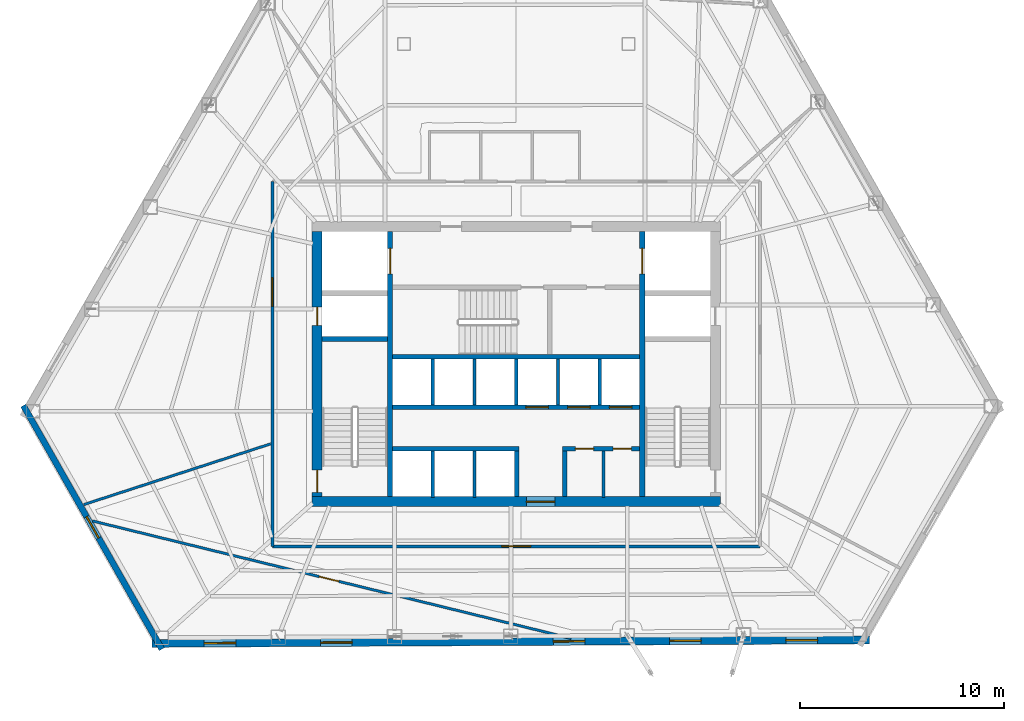
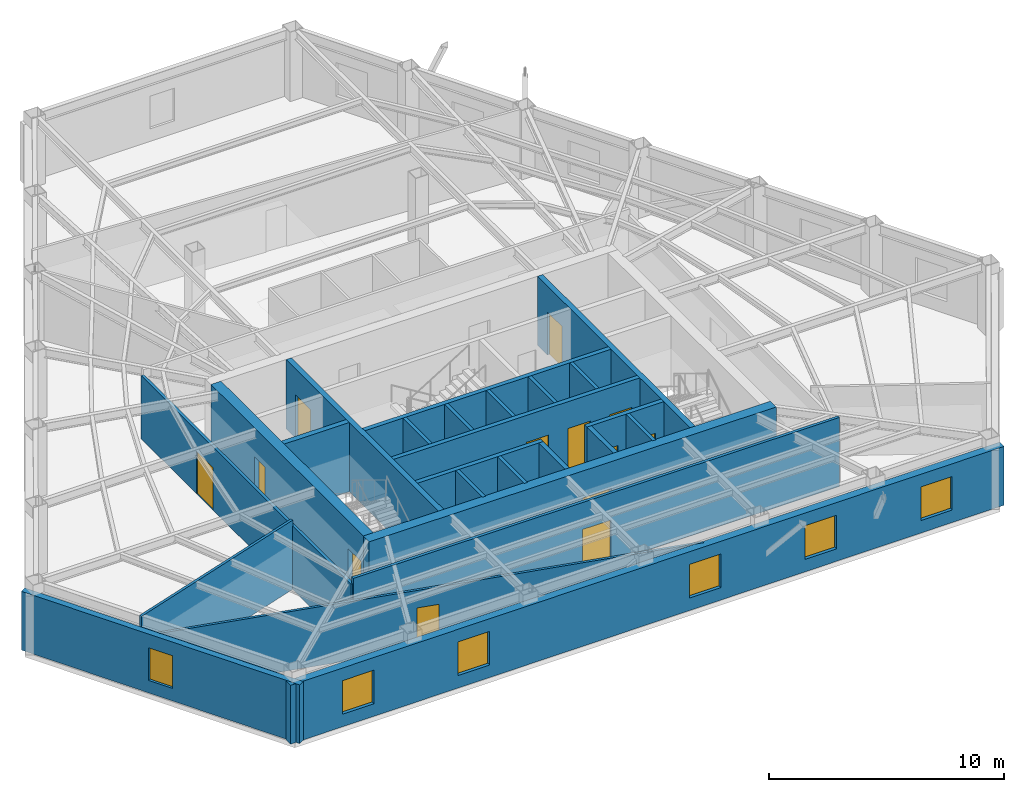
# One storey, part 8 of 13: 25 walls, 13 doors, 6 windows, 19 openings.
"""IFC4 building model written with IfcOpenShell, lengths in metres."""

from ifc_helpers import new_model, si_unit, direction, frame, frame_2d, origin, place, context, subcontext, project, spatial, rectangle, extrude, material, layer, layer_set, type_object, element, fill, save


model = new_model("IFC4")

# Units and contexts
model_context = context("Model", 3, precision=1e-05, world=origin(), true_north=direction((0.0, 1.0)))
body_context = subcontext(model_context, "Body", "Model", "MODEL_VIEW")
ifc_project = project(units=[si_unit("LENGTHUNIT", "METRE"), si_unit("AREAUNIT", "SQUARE_METRE"), si_unit("VOLUMEUNIT", "CUBIC_METRE"), si_unit("PLANEANGLEUNIT", "RADIAN"), si_unit("MASSUNIT", "GRAM", prefix="KILO")], contexts=[model_context])

# Site, building, storey
site_placement = place(None, origin())
site = spatial("IfcSite", under=ifc_project, at=site_placement, CompositionType="ELEMENT")
building_placement = place(site_placement, origin())
building = spatial("IfcBuilding", under=site, at=building_placement, Name="Kavelnor Concourse Tower", CompositionType="ELEMENT")
storey_placement = place(building_placement, frame((0.0, 0.0, 85.5)))
storey = spatial("IfcBuildingStorey", under=building, at=storey_placement, Name="L21", CompositionType="ELEMENT", Elevation=85.5)

# Wall, opening, door
ifc_material_1 = material(Name="Concrete C60/75", Category="concrete")
ifc_layer_1 = layer(ifc_material_1, 0.5, Name="Concrete C60/75")
ifc_layer_set_1 = layer_set([ifc_layer_1], Name="Concrete C60/75")
wall_type_1 = type_object("IfcWallType", Name="WL-CORE-Z2-500", PredefinedType="SOLIDWALL", material=ifc_layer_set_1)
wall_1_placement = place(storey_placement, frame((27.97998046875, 9.35009765625, 0.0), z_axis=(0.0, 0.0, 1.0), x_axis=(1.0, 0.0, 0.0)))
wall_1 = element("IfcWall", 1, at=wall_1_placement, inside=storey, type_object=wall_type_1, Name="L21 Central Core South Shear Wall", PredefinedType="SOLIDWALL", context=body_context, shape_type="SweptSolid", body=[
    extrude(rectangle(XDim=20.0400390625, YDim=0.5, at=frame_2d((10.02001953125, 0.0))), origin(), (0.0, 0.0, 1.0), 3.60009765625),
])
opening_1_placement = place(wall_1_placement, frame((10.52001953125, 0.0, 0.0)))
opening_1 = element("IfcOpeningElement", 2, at=opening_1_placement, cuts=wall_1, Name="Opening SD-140", PredefinedType="OPENING", context=body_context, shape_type="SweptSolid", body=[
    extrude(rectangle(XDim=1.39990234375, YDim=2.199951171875, at=frame_2d((0.699951171875, 1.10009765625))), frame((0.0, 0.260009765625, 0.0), z_axis=(0.0, -1.0, 0.0), x_axis=(1.0, 0.0, 0.0)), (0.0, 0.0, 1.0), 0.52001953125),
])
ifc_material_2 = material(Name="Solid-core hardwood timber", Category="wood")
door_type_1 = type_object("IfcDoorType", Name="DR-SUITE-ENTRY-1400", OperationType="NOTDEFINED", PredefinedType="DOOR", material=ifc_material_2)
door_1_placement = place(opening_1_placement, origin())
door_1 = element("IfcDoor", 3, at=door_1_placement, inside=storey, type_object=door_type_1, Name="L21 Passenger Lift Lobby Entry Door", OperationType="SINGLE_SWING_RIGHT", OverallHeight=2.199951171875, OverallWidth=1.39990234375, PredefinedType="DOOR", context=body_context, shape_type="SweptSolid", body=[
    extrude(rectangle(XDim=1.39990234375, YDim=2.199951171875, at=frame_2d((0.699951171875, 1.10009765625))), frame((0.0, 0.02490234375, 0.0), z_axis=(0.0, -1.0, 0.0), x_axis=(1.0, 0.0, 0.0)), (0.0, 0.0, 1.0), 0.050048828125),
])
fill(opening_1, door_1)

# Wall, openings, doors
wall_2_placement = place(storey_placement, frame((28.22998046875, 9.60009765625, 0.0), z_axis=(0.0, 0.0, 1.0), x_axis=(0.0, 1.0, 0.0)))
wall_2 = element("IfcWall", 4, at=wall_2_placement, inside=storey, type_object=wall_type_1, Name="L21 Central Core West Shear Wall", PredefinedType="SOLIDWALL", context=body_context, shape_type="SweptSolid", body=[
    extrude(rectangle(XDim=13.0, YDim=0.5, at=frame_2d((6.5, 0.0))), origin(), (0.0, 0.0, 1.0), 3.60009765625),
])
opening_2_placement = place(wall_2_placement, frame((0.199951171875, 0.0, 0.0)))
opening_2 = element("IfcOpeningElement", 5, at=opening_2_placement, cuts=wall_2, Name="Opening FD-110", PredefinedType="OPENING", context=body_context, shape_type="SweptSolid", body=[
    extrude(rectangle(XDim=1.10009765625, YDim=2.14990234375, at=frame_2d((0.550048828125, 1.074951171875))), frame((0.0, 0.260009765625, 0.0), z_axis=(0.0, -1.0, 0.0), x_axis=(1.0, 0.0, 0.0)), (0.0, 0.0, 1.0), 0.52001953125),
])
opening_3_placement = place(wall_2_placement, frame((8.39990234375, 0.0, 0.0)))
opening_3 = element("IfcOpeningElement", 6, at=opening_3_placement, cuts=wall_2, Name="Opening FD-090", PredefinedType="OPENING", context=body_context, shape_type="SweptSolid", body=[
    extrude(rectangle(XDim=0.89990234375, YDim=2.10009765625, at=frame_2d((0.449951171875, 1.050048828125))), frame((0.0, 0.260009765625, 0.0), z_axis=(0.0, -1.0, 0.0), x_axis=(1.0, 0.0, 0.0)), (0.0, 0.0, 1.0), 0.52001953125),
])
ifc_material_3 = material(Name="Steel Grade 350", Category="steel")
door_type_2 = type_object("IfcDoorType", Name="DR-RISER-FIRE-900", OperationType="NOTDEFINED", PredefinedType="DOOR", material=ifc_material_3)
door_2_placement = place(opening_3_placement, origin())
door_2 = element("IfcDoor", 7, at=door_2_placement, inside=storey, type_object=door_type_2, Name="L21 West Riser Access Door", OperationType="SINGLE_SWING_RIGHT", OverallHeight=2.10009765625, OverallWidth=0.89990234375, PredefinedType="DOOR", context=body_context, shape_type="SweptSolid", body=[
    extrude(rectangle(XDim=0.89990234375, YDim=2.10009765625, at=frame_2d((0.449951171875, 1.050048828125))), frame((0.0, 0.02490234375, 0.0), z_axis=(0.0, -1.0, 0.0), x_axis=(1.0, 0.0, 0.0)), (0.0, 0.0, 1.0), 0.050048828125),
])
fill(opening_3, door_2)
door_type_3 = type_object("IfcDoorType", Name="DR-STAIR-FIRE-1100", OperationType="NOTDEFINED", PredefinedType="DOOR", material=ifc_material_3)
door_3_placement = place(opening_2_placement, origin())
door_3 = element("IfcDoor", 8, at=door_3_placement, inside=storey, type_object=door_type_3, Name="L21 Stair ST1 Fire Door", OperationType="SINGLE_SWING_LEFT", OverallHeight=2.14990234375, OverallWidth=1.10009765625, PredefinedType="DOOR", context=body_context, shape_type="SweptSolid", body=[
    extrude(rectangle(XDim=1.10009765625, YDim=2.14990234375, at=frame_2d((0.550048828125, 1.074951171875))), frame((0.0, 0.02490234375, 0.0), z_axis=(0.0, -1.0, 0.0), x_axis=(1.0, 0.0, 0.0)), (0.0, 0.0, 1.0), 0.050048828125),
])
fill(opening_2, door_3)

# Wall, opening, window
ifc_material_4 = material(Name="Buff ironspot clay face brick masonry", Category="masonry")
ifc_layer_2 = layer(ifc_material_4, 0.300048828125, Name="Buff ironspot clay face brick masonry")
ifc_layer_set_2 = layer_set([ifc_layer_2], Name="Buff ironspot clay face brick masonry")
wall_type_2 = type_object("IfcWallType", Name="WL-EXT-BUFF-BRICK-FOLD-300", PredefinedType="STANDARD", material=ifc_layer_set_2)
wall_3_placement = place(storey_placement, frame((20.61083984375, 2.1123046875, 0.0), z_axis=(0.0, 0.0, 1.0), x_axis=(-0.494112228191, 0.869398128565, 0.0)))
wall_3 = element("IfcWall", 9, at=wall_3_placement, inside=storey, type_object=wall_type_2, Name="L21 Exterior Brick Facade Wall E2", PredefinedType="STANDARD", context=body_context, shape_type="SweptSolid", body=[
    extrude(rectangle(XDim=13.747314453125, YDim=0.300048828125, at=frame_2d((6.87353515625, 0.0))), origin(), (0.0, 0.0, 1.0), 3.05908203125),
])
opening_4_placement = place(wall_3_placement, frame((6.273681640625, 0.0, 0.64990234375)))
opening_4 = element("IfcOpeningElement", 10, at=opening_4_placement, cuts=wall_3, Name="Opening W-05", PredefinedType="OPENING", context=body_context, shape_type="SweptSolid", body=[
    extrude(rectangle(XDim=1.199951171875, YDim=1.699951171875, at=frame_2d((0.60009765625, 0.85009765625))), frame((0.0, 0.16015625, 0.0), z_axis=(0.0, -1.0, 0.0), x_axis=(1.0, 0.0, 0.0)), (0.0, 0.0, 1.0), 0.320068359375),
])
ifc_material_5 = material(Name="Double low-E argon insulated glazing", Category="glass")
window_type_1 = type_object("IfcWindowType", Name="WIN-FOLD-1200", PartitioningType="SINGLE_PANEL", PredefinedType="WINDOW", material=ifc_material_5)
window_1_placement = place(opening_4_placement, origin())
window_1 = element("IfcWindow", 11, at=window_1_placement, inside=storey, type_object=window_type_1, Name="L21 Chamfer-Fold Facet Window C1", OverallHeight=1.699951171875, OverallWidth=1.199951171875, PartitioningType="SINGLE_PANEL", PredefinedType="WINDOW", context=body_context, shape_type="SweptSolid", body=[
    extrude(rectangle(XDim=1.199951171875, YDim=1.699951171875, at=frame_2d((0.60009765625, 0.85009765625))), frame((0.0, 0.030029296875, 0.0), z_axis=(0.0, -1.0, 0.0), x_axis=(1.0, 0.0, 0.0)), (0.0, 0.0, 1.0), 0.06005859375),
])
fill(opening_4, window_1)

# Wall, openings, windows
ifc_material_6 = material(Name="Red-ochre clay face brick masonry", Category="masonry")
ifc_layer_3 = layer(ifc_material_6, 0.3798828125, Name="Red-ochre clay face brick masonry")
ifc_layer_set_3 = layer_set([ifc_layer_3], Name="Red-ochre clay face brick masonry")
wall_type_3 = type_object("IfcWallType", Name="WL-EXT-RED-BRICK-PIER-380", PredefinedType="STANDARD", material=ifc_layer_set_3)
wall_4_placement = place(storey_placement, frame((55.33984375, 2.56689453125, 0.0), z_axis=(0.0, 0.0, 1.0), x_axis=(-0.999987608505, -0.00497823626, 0.0)))
wall_4 = element("IfcWall", 12, at=wall_4_placement, inside=storey, type_object=wall_type_3, Name="L21 Exterior Brick Facade Wall E3", PredefinedType="STANDARD", context=body_context, shape_type="SweptSolid", body=[
    extrude(rectangle(XDim=35.2119140625, YDim=0.3798828125, at=frame_2d((17.60595703125, 0.0))), origin(), (0.0, 0.0, 1.0), 3.05908203125),
])
opening_5_placement = place(wall_4_placement, frame((31.1015625, 0.0, 0.64990234375)))
opening_5 = element("IfcOpeningElement", 13, at=opening_5_placement, cuts=wall_4, Name="Opening W-02", PredefinedType="OPENING", context=body_context, shape_type="SweptSolid", body=[
    extrude(rectangle(XDim=1.550048828125, YDim=1.75, at=frame_2d((0.77490234375, 0.875))), frame((0.0, 0.199951171875, 0.0), z_axis=(0.0, -1.0, 0.0), x_axis=(1.0, 0.0, 0.0)), (0.0, 0.0, 1.0), 0.39990234375),
])
opening_6_placement = place(wall_4_placement, frame((25.392333984375, 0.0, 0.64990234375)))
opening_6 = element("IfcOpeningElement", 14, at=opening_6_placement, cuts=wall_4, Name="Opening W-02", PredefinedType="OPENING", context=body_context, shape_type="SweptSolid", body=[
    extrude(rectangle(XDim=1.550048828125, YDim=1.75, at=frame_2d((0.77490234375, 0.875))), frame((0.0, 0.199951171875, 0.0), z_axis=(0.0, -1.0, 0.0), x_axis=(1.0, 0.0, 0.0)), (0.0, 0.0, 1.0), 0.39990234375),
])
opening_7_placement = place(wall_4_placement, frame((13.97412109375, 0.0, 0.64990234375)))
opening_7 = element("IfcOpeningElement", 15, at=opening_7_placement, cuts=wall_4, Name="Opening W-02", PredefinedType="OPENING", context=body_context, shape_type="SweptSolid", body=[
    extrude(rectangle(XDim=1.550048828125, YDim=1.75, at=frame_2d((0.77490234375, 0.875))), frame((0.0, 0.199951171875, 0.0), z_axis=(0.0, -1.0, 0.0), x_axis=(1.0, 0.0, 0.0)), (0.0, 0.0, 1.0), 0.39990234375),
])
opening_8_placement = place(wall_4_placement, frame((8.264892578125, 0.0, 0.64990234375)))
opening_8 = element("IfcOpeningElement", 16, at=opening_8_placement, cuts=wall_4, Name="Opening W-02", PredefinedType="OPENING", context=body_context, shape_type="SweptSolid", body=[
    extrude(rectangle(XDim=1.550048828125, YDim=1.75, at=frame_2d((0.77490234375, 0.875))), frame((0.0, 0.199951171875, 0.0), z_axis=(0.0, -1.0, 0.0), x_axis=(1.0, 0.0, 0.0)), (0.0, 0.0, 1.0), 0.39990234375),
])
opening_9_placement = place(wall_4_placement, frame((2.5556640625, 0.0, 0.64990234375)))
opening_9 = element("IfcOpeningElement", 17, at=opening_9_placement, cuts=wall_4, Name="Opening W-02", PredefinedType="OPENING", context=body_context, shape_type="SweptSolid", body=[
    extrude(rectangle(XDim=1.550048828125, YDim=1.75, at=frame_2d((0.77490234375, 0.875))), frame((0.0, 0.199951171875, 0.0), z_axis=(0.0, -1.0, 0.0), x_axis=(1.0, 0.0, 0.0)), (0.0, 0.0, 1.0), 0.39990234375),
])
window_type_2 = type_object("IfcWindowType", Name="WIN-PIER-Z2-1650", PartitioningType="SINGLE_PANEL", PredefinedType="WINDOW", material=ifc_material_5)
window_2_placement = place(opening_5_placement, origin())
window_2 = element("IfcWindow", 18, at=window_2_placement, inside=storey, type_object=window_type_2, Name="L21 Deep-Set Brick Pier Window F1-B0", OverallHeight=1.75, OverallWidth=1.550048828125, PartitioningType="SINGLE_PANEL", PredefinedType="WINDOW", context=body_context, shape_type="SweptSolid", body=[
    extrude(rectangle(XDim=1.550048828125, YDim=1.75, at=frame_2d((0.77490234375, 0.875))), frame((0.0, 0.030029296875, 0.0), z_axis=(0.0, -1.0, 0.0), x_axis=(1.0, 0.0, 0.0)), (0.0, 0.0, 1.0), 0.06005859375),
])
fill(opening_5, window_2)
window_3_placement = place(opening_6_placement, origin())
window_3 = element("IfcWindow", 19, at=window_3_placement, inside=storey, type_object=window_type_2, Name="L21 Deep-Set Brick Pier Window F1-B1", OverallHeight=1.75, OverallWidth=1.550048828125, PartitioningType="SINGLE_PANEL", PredefinedType="WINDOW", context=body_context, shape_type="SweptSolid", body=[
    extrude(rectangle(XDim=1.550048828125, YDim=1.75, at=frame_2d((0.77490234375, 0.875))), frame((0.0, 0.030029296875, 0.0), z_axis=(0.0, -1.0, 0.0), x_axis=(1.0, 0.0, 0.0)), (0.0, 0.0, 1.0), 0.06005859375),
])
fill(opening_6, window_3)
window_4_placement = place(opening_7_placement, origin())
window_4 = element("IfcWindow", 20, at=window_4_placement, inside=storey, type_object=window_type_2, Name="L21 Deep-Set Brick Pier Window F1-B3", OverallHeight=1.75, OverallWidth=1.550048828125, PartitioningType="SINGLE_PANEL", PredefinedType="WINDOW", context=body_context, shape_type="SweptSolid", body=[
    extrude(rectangle(XDim=1.550048828125, YDim=1.75, at=frame_2d((0.77490234375, 0.875))), frame((0.0, 0.030029296875, 0.0), z_axis=(0.0, -1.0, 0.0), x_axis=(1.0, 0.0, 0.0)), (0.0, 0.0, 1.0), 0.06005859375),
])
fill(opening_7, window_4)
window_5_placement = place(opening_8_placement, origin())
window_5 = element("IfcWindow", 21, at=window_5_placement, inside=storey, type_object=window_type_2, Name="L21 Deep-Set Brick Pier Window F1-B4", OverallHeight=1.75, OverallWidth=1.550048828125, PartitioningType="SINGLE_PANEL", PredefinedType="WINDOW", context=body_context, shape_type="SweptSolid", body=[
    extrude(rectangle(XDim=1.550048828125, YDim=1.75, at=frame_2d((0.77490234375, 0.875))), frame((0.0, 0.030029296875, 0.0), z_axis=(0.0, -1.0, 0.0), x_axis=(1.0, 0.0, 0.0)), (0.0, 0.0, 1.0), 0.06005859375),
])
fill(opening_8, window_5)
window_6_placement = place(opening_9_placement, origin())
window_6 = element("IfcWindow", 22, at=window_6_placement, inside=storey, type_object=window_type_2, Name="L21 Deep-Set Brick Pier Window F1-B5", OverallHeight=1.75, OverallWidth=1.550048828125, PartitioningType="SINGLE_PANEL", PredefinedType="WINDOW", context=body_context, shape_type="SweptSolid", body=[
    extrude(rectangle(XDim=1.550048828125, YDim=1.75, at=frame_2d((0.77490234375, 0.875))), frame((0.0, 0.030029296875, 0.0), z_axis=(0.0, -1.0, 0.0), x_axis=(1.0, 0.0, 0.0)), (0.0, 0.0, 1.0), 0.06005859375),
])
fill(opening_9, window_6)

# Wall, opening, door
ifc_material_7 = material(Name="Gypsum plasterboard on light-gauge steel studs", Category="steel")
ifc_layer_4 = layer(ifc_material_7, 0.14501953125, Name="Gypsum plasterboard on light-gauge steel studs")
ifc_layer_set_4 = layer_set([ifc_layer_4], Name="Gypsum plasterboard on light-gauge steel studs")
wall_type_4 = type_object("IfcWallType", Name="WL-INT-CORR-145", PredefinedType="PARTITIONING", material=ifc_layer_set_4)
wall_5_placement = place(storey_placement, frame((26.030029296875, 25.050048828125, 0.0), z_axis=(0.0, 0.0, 1.0), x_axis=(0.0, -1.0, 0.0)))
wall_5 = element("IfcWall", 23, at=wall_5_placement, inside=storey, type_object=wall_type_4, Name="L21 Corridor Wall WL-L21-CR-03", PredefinedType="PARTITIONING", context=body_context, shape_type="SweptSolid", body=[
    extrude(rectangle(XDim=17.900146484375, YDim=0.14501953125, at=frame_2d((8.9501953125, 0.0))), origin(), (0.0, 0.0, 1.0), 3.2880859375),
])
opening_10_placement = place(wall_5_placement, frame((4.716796875, 0.0, 0.0)))
opening_10 = element("IfcOpeningElement", 24, at=opening_10_placement, cuts=wall_5, Name="Opening SD-140", PredefinedType="OPENING", context=body_context, shape_type="SweptSolid", body=[
    extrude(rectangle(XDim=1.39990234375, YDim=2.199951171875, at=frame_2d((0.699951171875, 1.10009765625))), frame((0.0, 0.08251953125, 0.0), z_axis=(0.0, -1.0, 0.0), x_axis=(1.0, 0.0, 0.0)), (0.0, 0.0, 1.0), 0.1650390625),
])
door_4_placement = place(opening_10_placement, origin())
door_4 = element("IfcDoor", 25, at=door_4_placement, inside=storey, type_object=door_type_1, Name="L21 Client Concierge 04 Door", OperationType="SINGLE_SWING_RIGHT", OverallHeight=2.199951171875, OverallWidth=1.39990234375, PredefinedType="DOOR", context=body_context, shape_type="SweptSolid", body=[
    extrude(rectangle(XDim=1.39990234375, YDim=2.199951171875, at=frame_2d((0.699951171875, 1.10009765625))), frame((0.0, 0.02490234375, 0.0), z_axis=(0.0, -1.0, 0.0), x_axis=(1.0, 0.0, 0.0)), (0.0, 0.0, 1.0), 0.050048828125),
])
fill(opening_10, door_4)

wall_6_placement = place(storey_placement, frame((26.030029296875, 7.14990234375, 0.0), z_axis=(0.0, 0.0, 1.0), x_axis=(1.0, 0.0, 0.0)))
wall_6 = element("IfcWall", 26, at=wall_6_placement, inside=storey, type_object=wall_type_4, Name="L21 Corridor Wall WL-L21-CR-04", PredefinedType="PARTITIONING", context=body_context, shape_type="SweptSolid", body=[
    extrude(rectangle(XDim=23.93994140625, YDim=0.14501953125, at=frame_2d((11.969970703125, 0.0))), origin(), (0.0, 0.0, 1.0), 3.60009765625),
])
opening_11_placement = place(wall_6_placement, frame((11.27001953125, 0.0, 0.0)))
opening_11 = element("IfcOpeningElement", 27, at=opening_11_placement, cuts=wall_6, Name="Opening SD-140", PredefinedType="OPENING", context=body_context, shape_type="SweptSolid", body=[
    extrude(rectangle(XDim=1.39990234375, YDim=2.199951171875, at=frame_2d((0.699951171875, 1.10009765625))), frame((0.0, 0.08251953125, 0.0), z_axis=(0.0, -1.0, 0.0), x_axis=(1.0, 0.0, 0.0)), (0.0, 0.0, 1.0), 0.1650390625),
])
door_5_placement = place(opening_11_placement, origin())
door_5 = element("IfcDoor", 28, at=door_5_placement, inside=storey, type_object=door_type_1, Name="L21 Client Concierge 05 Door", OperationType="SINGLE_SWING_LEFT", OverallHeight=2.199951171875, OverallWidth=1.39990234375, PredefinedType="DOOR", context=body_context, shape_type="SweptSolid", body=[
    extrude(rectangle(XDim=1.39990234375, YDim=2.199951171875, at=frame_2d((0.699951171875, 1.10009765625))), frame((0.0, 0.02490234375, 0.0), z_axis=(0.0, -1.0, 0.0), x_axis=(1.0, 0.0, 0.0)), (0.0, 0.0, 1.0), 0.050048828125),
])
fill(opening_11, door_5)

# Walls
ifc_layer_5 = layer(ifc_material_7, 0.1650390625, Name="Gypsum plasterboard on light-gauge steel studs")
ifc_layer_set_5 = layer_set([ifc_layer_5], Name="Gypsum plasterboard on light-gauge steel studs")
wall_type_5 = type_object("IfcWallType", Name="WL-INT-FIRE-165", PredefinedType="PARTITIONING", material=ifc_layer_set_5)
for number, where, z_axis, x_axis, name in (
    (29, (33.89990234375, 9.550048828125, 0.0), (0.0, 0.0, 1.0), (0.0, 1.0, 0.0), "L21 Lift Shaft Divider LP7"),
    (30, (35.949951171875, 9.550048828125, 0.0), (0.0, 0.0, 1.0), (0.0, 1.0, 0.0), "L21 Lift Shaft Divider LP8"),
):
    element("IfcWall", number, at=place(storey_placement, frame(where, z_axis=z_axis, x_axis=x_axis)), inside=storey, type_object=wall_type_5, Name=name, PredefinedType="PARTITIONING", context=body_context, shape_type="SweptSolid", body=[
        extrude(rectangle(XDim=2.2900390625, YDim=0.1650390625, at=frame_2d((1.14501953125, 0.0))), origin(), (0.0, 0.0, 1.0), 3.60009765625),
    ])
for number, where, z_axis, x_axis, name in (
    (31, (33.89990234375, 14.10009765625, 0.0), (0.0, 0.0, 1.0), (0.0, 1.0, 0.0), "L21 Lift Shaft Divider LP1"),
    (32, (35.949951171875, 14.10009765625, 0.0), (0.0, 0.0, 1.0), (0.0, 1.0, 0.0), "L21 Lift Shaft Divider LP2"),
    (33, (38.0, 14.10009765625, 0.0), (0.0, 0.0, 1.0), (0.0, 1.0, 0.0), "L21 Lift Shaft Divider LP3"),
    (34, (40.050048828125, 14.10009765625, 0.0), (0.0, 0.0, 1.0), (0.0, 1.0, 0.0), "L21 Lift Shaft Divider LP4"),
    (35, (42.10009765625, 14.10009765625, 0.0), (0.0, 0.0, 1.0), (0.0, 1.0, 0.0), "L21 Lift Shaft Divider LP5"),
):
    element("IfcWall", number, at=place(storey_placement, frame(where, z_axis=z_axis, x_axis=x_axis)), inside=storey, type_object=wall_type_5, Name=name, PredefinedType="PARTITIONING", context=body_context, shape_type="SweptSolid", body=[
        extrude(rectangle(XDim=2.239990234375, YDim=0.1650390625, at=frame_2d((1.1201171875, 0.0))), origin(), (0.0, 0.0, 1.0), 3.60009765625),
    ])
wall_7_placement = place(storey_placement, frame((42.280029296875, 9.550048828125, 0.0), z_axis=(0.0, 0.0, 1.0), x_axis=(0.0, 1.0, 0.0)))
element("IfcWall", 36, at=wall_7_placement, inside=storey, type_object=wall_type_5, Name="L21 Core Support Divider", PredefinedType="PARTITIONING", context=body_context, shape_type="SweptSolid", body=[
    extrude(rectangle(XDim=2.2900390625, YDim=0.1650390625, at=frame_2d((1.14501953125, 0.0))), origin(), (0.0, 0.0, 1.0), 3.60009765625),
])
ifc_layer_6 = layer(ifc_material_7, 0.125, Name="Gypsum plasterboard on light-gauge steel studs")
ifc_layer_set_6 = layer_set([ifc_layer_6], Name="Gypsum plasterboard on light-gauge steel studs")
wall_type_6 = type_object("IfcWallType", Name="WL-INT-SUITE-125", PredefinedType="PARTITIONING", material=ifc_layer_set_6)
wall_8_placement = place(storey_placement, frame((25.949462890625, 12.1845703125, 0.0), z_axis=(0.0, 0.0, 1.0), x_axis=(-0.951059189605, -0.309008766651, 0.0)))
element("IfcWall", 37, at=wall_8_placement, inside=storey, type_object=wall_type_6, Name="L21 Radial Suite Partition 03", PredefinedType="PARTITIONING", context=body_context, shape_type="SweptSolid", body=[
    extrude(rectangle(XDim=9.640625, YDim=0.125, at=frame_2d((4.8203125, 0.0))), origin(), (0.0, 0.0, 1.0), 3.60009765625),
])

# Wall, opening, door
wall_9_placement = place(storey_placement, frame((17.20849609375, 8.402099609375, 0.0), z_axis=(0.0, 0.0, 1.0), x_axis=(0.971215252653, -0.238203553741, 0.0)))
wall_9 = element("IfcWall", 38, at=wall_9_placement, inside=storey, type_object=wall_type_6, Name="L21 Suite Subdivision Partition 04", PredefinedType="PARTITIONING", context=body_context, shape_type="SweptSolid", body=[
    extrude(rectangle(XDim=24.173828125, YDim=0.125, at=frame_2d((12.0869140625, 0.0))), origin(), (0.0, 0.0, 1.0), 3.06201171875),
])
opening_12_placement = place(wall_9_placement, frame((11.458984375, 0.0, 0.0)))
opening_12 = element("IfcOpeningElement", 39, at=opening_12_placement, cuts=wall_9, Name="Opening OD-098", PredefinedType="OPENING", context=body_context, shape_type="SweptSolid", body=[
    extrude(rectangle(XDim=0.97998046875, YDim=2.14990234375, at=frame_2d((0.489990234375, 1.074951171875))), frame((0.0, 0.072509765625, 0.0), z_axis=(0.0, -1.0, 0.0), x_axis=(1.0, 0.0, 0.0)), (0.0, 0.0, 1.0), 0.14501953125),
])
door_type_4 = type_object("IfcDoorType", Name="DR-OFFICE-980", OperationType="NOTDEFINED", PredefinedType="DOOR", material=ifc_material_2)
door_6_placement = place(opening_12_placement, origin())
door_6 = element("IfcDoor", 40, at=door_6_placement, inside=storey, type_object=door_type_4, Name="L21 Client Concierge 06 Door", OperationType="SINGLE_SWING_RIGHT", OverallHeight=2.14990234375, OverallWidth=0.97998046875, PredefinedType="DOOR", context=body_context, shape_type="SweptSolid", body=[
    extrude(rectangle(XDim=0.97998046875, YDim=2.14990234375, at=frame_2d((0.489990234375, 1.074951171875))), frame((0.0, 0.02490234375, 0.0), z_axis=(0.0, -1.0, 0.0), x_axis=(1.0, 0.0, 0.0)), (0.0, 0.0, 1.0), 0.050048828125),
])
fill(opening_12, door_6)

# Wall
ifc_material_8 = material(Name="Concrete C50/60", Category="concrete")
ifc_layer_7 = layer(ifc_material_8, 0.219970703125, Name="Concrete C50/60")
ifc_layer_set_7 = layer_set([ifc_layer_7], Name="Concrete C50/60")
wall_type_7 = type_object("IfcWallType", Name="WL-SHAFT-220", PredefinedType="SOLIDWALL", material=ifc_layer_set_7)
wall_10_placement = place(storey_placement, frame((31.93994140625, 16.449951171875, 0.0), z_axis=(0.0, 0.0, 1.0), x_axis=(1.0, 0.0, 0.0)))
element("IfcWall", 41, at=wall_10_placement, inside=storey, type_object=wall_type_7, Name="L21 Stair ST3 South Core Wall", PredefinedType="SOLIDWALL", context=body_context, shape_type="SweptSolid", body=[
    extrude(rectangle(XDim=12.1201171875, YDim=0.219970703125, at=frame_2d((6.06005859375, 0.0))), origin(), (0.0, 0.0, 1.0), 3.60009765625),
])

# Wall, openings, doors
wall_11_placement = place(storey_placement, frame((31.93994140625, 13.989990234375, 0.0), z_axis=(0.0, 0.0, 1.0), x_axis=(1.0, 0.0, 0.0)))
wall_11 = element("IfcWall", 42, at=wall_11_placement, inside=storey, type_object=wall_type_7, Name="L21 North Lift Row Shaft Wall", PredefinedType="SOLIDWALL", context=body_context, shape_type="SweptSolid", body=[
    extrude(rectangle(XDim=12.1201171875, YDim=0.219970703125, at=frame_2d((6.06005859375, 0.0))), origin(), (0.0, 0.0, 1.0), 3.60009765625),
])
opening_13_placement = place(wall_11_placement, frame((6.534912109375, 0.0, 0.0)))
opening_13 = element("IfcOpeningElement", 43, at=opening_13_placement, cuts=wall_11, Name="Opening LD-110", PredefinedType="OPENING", context=body_context, shape_type="SweptSolid", body=[
    extrude(rectangle(XDim=1.10009765625, YDim=2.199951171875, at=frame_2d((0.550048828125, 1.10009765625))), frame((0.0, 0.1201171875, 0.0), z_axis=(0.0, -1.0, 0.0), x_axis=(1.0, 0.0, 0.0)), (0.0, 0.0, 1.0), 0.239990234375),
])
opening_14_placement = place(wall_11_placement, frame((8.5849609375, 0.0, 0.0)))
opening_14 = element("IfcOpeningElement", 44, at=opening_14_placement, cuts=wall_11, Name="Opening LD-110", PredefinedType="OPENING", context=body_context, shape_type="SweptSolid", body=[
    extrude(rectangle(XDim=1.10009765625, YDim=2.199951171875, at=frame_2d((0.550048828125, 1.10009765625))), frame((0.0, 0.1201171875, 0.0), z_axis=(0.0, -1.0, 0.0), x_axis=(1.0, 0.0, 0.0)), (0.0, 0.0, 1.0), 0.239990234375),
])
opening_15_placement = place(wall_11_placement, frame((10.635009765625, 0.0, 0.0)))
opening_15 = element("IfcOpeningElement", 45, at=opening_15_placement, cuts=wall_11, Name="Opening LD-110", PredefinedType="OPENING", context=body_context, shape_type="SweptSolid", body=[
    extrude(rectangle(XDim=1.10009765625, YDim=2.199951171875, at=frame_2d((0.550048828125, 1.10009765625))), frame((0.0, 0.1201171875, 0.0), z_axis=(0.0, -1.0, 0.0), x_axis=(1.0, 0.0, 0.0)), (0.0, 0.0, 1.0), 0.239990234375),
])
door_type_5 = type_object("IfcDoorType", Name="DR-LIFT-SLIDING-1100", OperationType="NOTDEFINED", PredefinedType="DOOR", material=ifc_material_3)
door_7_placement = place(opening_13_placement, origin())
door_7 = element("IfcDoor", 46, at=door_7_placement, inside=storey, type_object=door_type_5, Name="L21 Lift LP4 Landing Door", OperationType="DOUBLE_DOOR_SLIDING", OverallHeight=2.199951171875, OverallWidth=1.10009765625, PredefinedType="DOOR", context=body_context, shape_type="SweptSolid", body=[
    extrude(rectangle(XDim=1.10009765625, YDim=2.199951171875, at=frame_2d((0.550048828125, 1.10009765625))), frame((0.0, 0.02490234375, 0.0), z_axis=(0.0, -1.0, 0.0), x_axis=(1.0, 0.0, 0.0)), (0.0, 0.0, 1.0), 0.050048828125),
])
fill(opening_13, door_7)
door_8_placement = place(opening_14_placement, origin())
door_8 = element("IfcDoor", 47, at=door_8_placement, inside=storey, type_object=door_type_5, Name="L21 Lift LP5 Landing Door", OperationType="DOUBLE_DOOR_SLIDING", OverallHeight=2.199951171875, OverallWidth=1.10009765625, PredefinedType="DOOR", context=body_context, shape_type="SweptSolid", body=[
    extrude(rectangle(XDim=1.10009765625, YDim=2.199951171875, at=frame_2d((0.550048828125, 1.10009765625))), frame((0.0, 0.02490234375, 0.0), z_axis=(0.0, -1.0, 0.0), x_axis=(1.0, 0.0, 0.0)), (0.0, 0.0, 1.0), 0.050048828125),
])
fill(opening_14, door_8)
door_9_placement = place(opening_15_placement, origin())
door_9 = element("IfcDoor", 48, at=door_9_placement, inside=storey, type_object=door_type_5, Name="L21 Lift LP6 Landing Door", OperationType="DOUBLE_DOOR_SLIDING", OverallHeight=2.199951171875, OverallWidth=1.10009765625, PredefinedType="DOOR", context=body_context, shape_type="SweptSolid", body=[
    extrude(rectangle(XDim=1.10009765625, YDim=2.199951171875, at=frame_2d((0.550048828125, 1.10009765625))), frame((0.0, 0.02490234375, 0.0), z_axis=(0.0, -1.0, 0.0), x_axis=(1.0, 0.0, 0.0)), (0.0, 0.0, 1.0), 0.050048828125),
])
fill(opening_15, door_9)

# Wall
wall_12_placement = place(storey_placement, frame((31.93994140625, 11.949951171875, 0.0), z_axis=(0.0, 0.0, 1.0), x_axis=(1.0, 0.0, 0.0)))
element("IfcWall", 49, at=wall_12_placement, inside=storey, type_object=wall_type_7, Name="L21 High-Rise Lift Bank North Wall", PredefinedType="SOLIDWALL", context=body_context, shape_type="SweptSolid", body=[
    extrude(rectangle(XDim=6.18994140625, YDim=0.219970703125, at=frame_2d((3.094970703125, 0.0))), origin(), (0.0, 0.0, 1.0), 3.60009765625),
])

# Wall, openings, doors
wall_13_placement = place(storey_placement, frame((40.280029296875, 11.949951171875, 0.0), z_axis=(0.0, 0.0, 1.0), x_axis=(1.0, 0.0, 0.0)))
wall_13 = element("IfcWall", 50, at=wall_13_placement, inside=storey, type_object=wall_type_7, Name="L21 Core South Support North Wall", PredefinedType="SOLIDWALL", context=body_context, shape_type="SweptSolid", body=[
    extrude(rectangle(XDim=3.780029296875, YDim=0.219970703125, at=frame_2d((1.89013671875, 0.0))), origin(), (0.0, 0.0, 1.0), 3.60009765625),
])
opening_16_placement = place(wall_13_placement, frame((0.6201171875, 0.0, 0.0)))
opening_16 = element("IfcOpeningElement", 51, at=opening_16_placement, cuts=wall_13, Name="Opening FD-090", PredefinedType="OPENING", context=body_context, shape_type="SweptSolid", body=[
    extrude(rectangle(XDim=0.89990234375, YDim=2.10009765625, at=frame_2d((0.449951171875, 1.050048828125))), frame((0.0, 0.1201171875, 0.0), z_axis=(0.0, -1.0, 0.0), x_axis=(1.0, 0.0, 0.0)), (0.0, 0.0, 1.0), 0.239990234375),
])
opening_17_placement = place(wall_13_placement, frame((2.469970703125, 0.0, 0.0)))
opening_17 = element("IfcOpeningElement", 52, at=opening_17_placement, cuts=wall_13, Name="Opening FD-090", PredefinedType="OPENING", context=body_context, shape_type="SweptSolid", body=[
    extrude(rectangle(XDim=0.89990234375, YDim=2.10009765625, at=frame_2d((0.449951171875, 1.050048828125))), frame((0.0, 0.1201171875, 0.0), z_axis=(0.0, -1.0, 0.0), x_axis=(1.0, 0.0, 0.0)), (0.0, 0.0, 1.0), 0.239990234375),
])
door_10_placement = place(opening_16_placement, origin())
door_10 = element("IfcDoor", 53, at=door_10_placement, inside=storey, type_object=door_type_2, Name="L21 Cleaner Cupboard Door", OperationType="SINGLE_SWING_RIGHT", OverallHeight=2.10009765625, OverallWidth=0.89990234375, PredefinedType="DOOR", context=body_context, shape_type="SweptSolid", body=[
    extrude(rectangle(XDim=0.89990234375, YDim=2.10009765625, at=frame_2d((0.449951171875, 1.050048828125))), frame((0.0, 0.02490234375, 0.0), z_axis=(0.0, -1.0, 0.0), x_axis=(1.0, 0.0, 0.0)), (0.0, 0.0, 1.0), 0.050048828125),
])
fill(opening_16, door_10)
door_11_placement = place(opening_17_placement, origin())
door_11 = element("IfcDoor", 54, at=door_11_placement, inside=storey, type_object=door_type_2, Name="L21 Supplies Store Door", OperationType="SINGLE_SWING_LEFT", OverallHeight=2.10009765625, OverallWidth=0.89990234375, PredefinedType="DOOR", context=body_context, shape_type="SweptSolid", body=[
    extrude(rectangle(XDim=0.89990234375, YDim=2.10009765625, at=frame_2d((0.449951171875, 1.050048828125))), frame((0.0, 0.02490234375, 0.0), z_axis=(0.0, -1.0, 0.0), x_axis=(1.0, 0.0, 0.0)), (0.0, 0.0, 1.0), 0.050048828125),
])
fill(opening_17, door_11)

# Walls
for number, where, z_axis, x_axis, name in (
    (55, (38.02001953125, 9.60009765625, 0.0), (0.0, 0.0, 1.0), (0.0, 1.0, 0.0), "L21 Lift Lobby Throat West Wall"),
    (56, (40.389892578125, 9.60009765625, 0.0), (0.0, 0.0, 1.0), (0.0, 1.0, 0.0), "L21 Lift Lobby Throat East Wall"),
):
    element("IfcWall", number, at=place(storey_placement, frame(where, z_axis=z_axis, x_axis=x_axis)), inside=storey, type_object=wall_type_7, Name=name, PredefinedType="SOLIDWALL", context=body_context, shape_type="SweptSolid", body=[
        extrude(rectangle(XDim=2.239990234375, YDim=0.219970703125, at=frame_2d((1.1201171875, 0.0))), origin(), (0.0, 0.0, 1.0), 3.60009765625),
    ])

# Wall, opening, door
ifc_layer_8 = layer(ifc_material_8, 0.260009765625, Name="Concrete C50/60")
ifc_layer_set_8 = layer_set([ifc_layer_8], Name="Concrete C50/60")
wall_type_8 = type_object("IfcWallType", Name="WL-SHAFT-260", PredefinedType="SHEAR", material=ifc_layer_set_8)
wall_14_placement = place(storey_placement, frame((31.81005859375, 9.60009765625, 0.0), z_axis=(0.0, 0.0, 1.0), x_axis=(0.0, 1.0, 0.0)))
wall_14 = element("IfcWall", 57, at=wall_14_placement, inside=storey, type_object=wall_type_8, Name="L21 Core West Wing Shear Wall", PredefinedType="SHEAR", context=body_context, shape_type="SweptSolid", body=[
    extrude(rectangle(XDim=13.0, YDim=0.260009765625, at=frame_2d((6.5, 0.0))), origin(), (0.0, 0.0, 1.0), 3.60009765625),
])
opening_18_placement = place(wall_14_placement, frame((10.925048828125, 0.0, 0.0)))
opening_18 = element("IfcOpeningElement", 58, at=opening_18_placement, cuts=wall_14, Name="Opening LD-125", PredefinedType="OPENING", context=body_context, shape_type="SweptSolid", body=[
    extrude(rectangle(XDim=1.25, YDim=2.25, at=frame_2d((0.625, 1.125))), frame((0.0, 0.14013671875, 0.0), z_axis=(0.0, -1.0, 0.0), x_axis=(1.0, 0.0, 0.0)), (0.0, 0.0, 1.0), 0.280029296875),
])
door_type_6 = type_object("IfcDoorType", Name="DR-LIFT-SLIDING-1250", OperationType="NOTDEFINED", PredefinedType="DOOR", material=ifc_material_3)
door_12_placement = place(opening_18_placement, origin())
door_12 = element("IfcDoor", 59, at=door_12_placement, inside=storey, type_object=door_type_6, Name="L21 Emergency Lift FL1 Landing Door", OperationType="DOUBLE_DOOR_SLIDING", OverallHeight=2.25, OverallWidth=1.25, PredefinedType="DOOR", context=body_context, shape_type="SweptSolid", body=[
    extrude(rectangle(XDim=1.25, YDim=2.25, at=frame_2d((0.625, 1.125))), frame((0.0, 0.02490234375, 0.0), z_axis=(0.0, -1.0, 0.0), x_axis=(1.0, 0.0, 0.0)), (0.0, 0.0, 1.0), 0.050048828125),
])
fill(opening_18, door_12)

wall_15_placement = place(storey_placement, frame((44.18994140625, 9.60009765625, 0.0), z_axis=(0.0, 0.0, 1.0), x_axis=(0.0, 1.0, 0.0)))
wall_15 = element("IfcWall", 60, at=wall_15_placement, inside=storey, type_object=wall_type_8, Name="L21 Core East Wing Shear Wall", PredefinedType="SHEAR", context=body_context, shape_type="SweptSolid", body=[
    extrude(rectangle(XDim=13.0, YDim=0.260009765625, at=frame_2d((6.5, 0.0))), origin(), (0.0, 0.0, 1.0), 3.60009765625),
])
opening_19_placement = place(wall_15_placement, frame((10.925048828125, 0.0, 0.0)))
opening_19 = element("IfcOpeningElement", 61, at=opening_19_placement, cuts=wall_15, Name="Opening LD-125", PredefinedType="OPENING", context=body_context, shape_type="SweptSolid", body=[
    extrude(rectangle(XDim=1.25, YDim=2.25, at=frame_2d((0.625, 1.125))), frame((0.0, 0.14013671875, 0.0), z_axis=(0.0, -1.0, 0.0), x_axis=(1.0, 0.0, 0.0)), (0.0, 0.0, 1.0), 0.280029296875),
])
door_13_placement = place(opening_19_placement, origin())
door_13 = element("IfcDoor", 62, at=door_13_placement, inside=storey, type_object=door_type_6, Name="L21 Emergency Lift FL2 Landing Door", OperationType="DOUBLE_DOOR_SLIDING", OverallHeight=2.25, OverallWidth=1.25, PredefinedType="DOOR", context=body_context, shape_type="SweptSolid", body=[
    extrude(rectangle(XDim=1.25, YDim=2.25, at=frame_2d((0.625, 1.125))), frame((0.0, 0.02490234375, 0.0), z_axis=(0.0, -1.0, 0.0), x_axis=(1.0, 0.0, 0.0)), (0.0, 0.0, 1.0), 0.050048828125),
])
fill(opening_19, door_13)

# Wall
wall_16_placement = place(storey_placement, frame((28.47998046875, 17.330078125, 0.0), z_axis=(0.0, 0.0, 1.0), x_axis=(1.0, 0.0, 0.0)))
element("IfcWall", 63, at=wall_16_placement, inside=storey, type_object=wall_type_8, Name="L21 Stair ST1 North Shaft Wall", PredefinedType="SHEAR", context=body_context, shape_type="SweptSolid", body=[
    extrude(rectangle(XDim=3.199951171875, YDim=0.260009765625, at=frame_2d((1.60009765625, 0.0))), origin(), (0.0, 0.0, 1.0), 3.60009765625),
])

save(model, "model.ifc")
